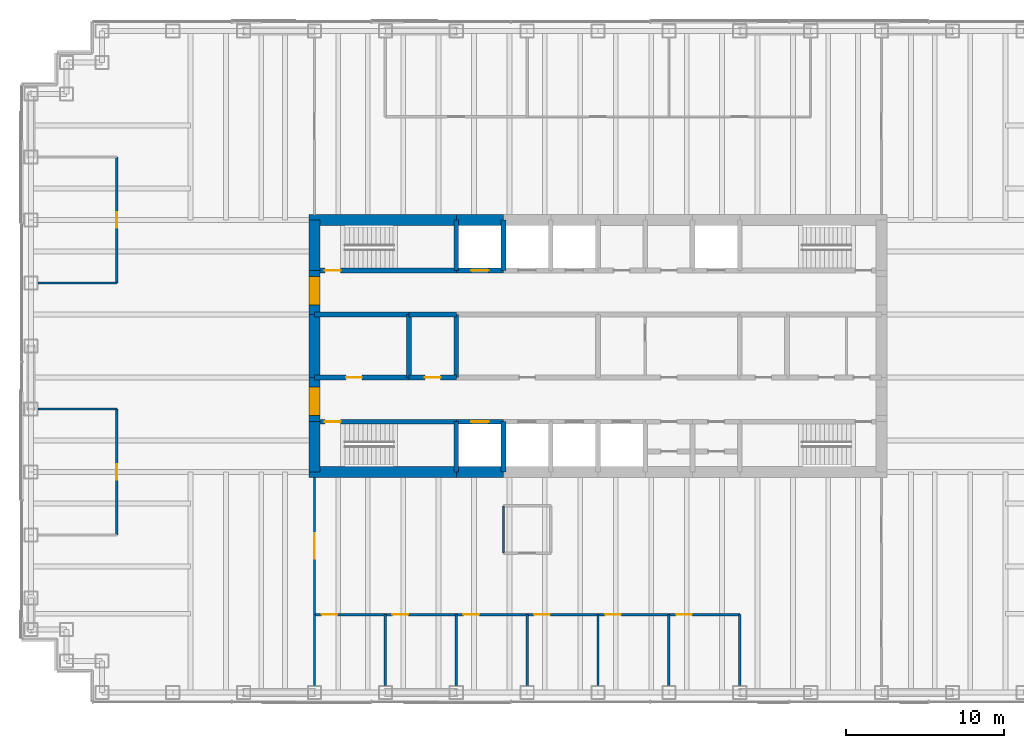
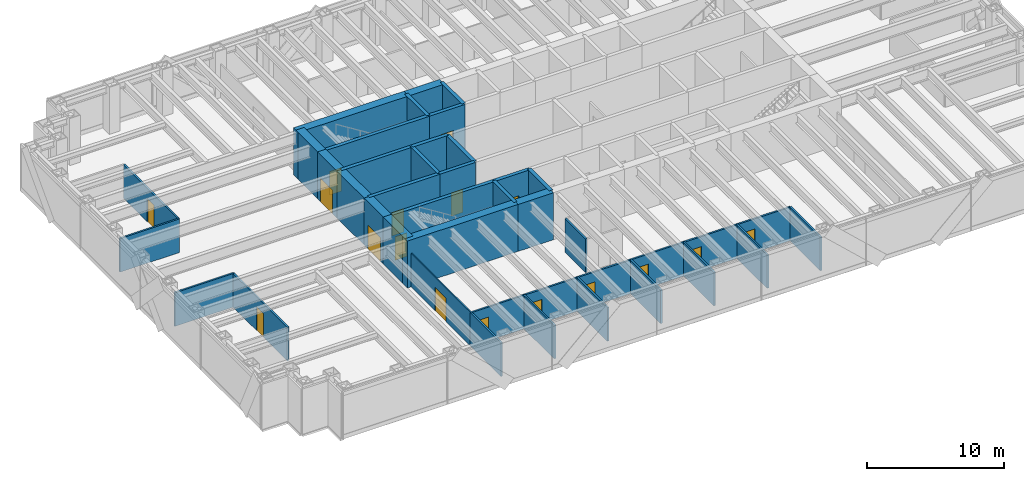
# One storey, part 11 of 15: 37 walls, 17 doors, 17 openings.
"""IFC4 building model written with IfcOpenShell, lengths in metres."""

from ifc_helpers import new_model, si_unit, direction, frame, frame_2d, origin, place, context, subcontext, project, spatial, rectangle, extrude, material, layer, layer_set, type_object, element, fill, save


model = new_model("IFC4")

# Units and contexts
model_context = context("Model", 3, precision=1e-05, world=origin(), true_north=direction((0.0, 1.0)))
body_context = subcontext(model_context, "Body", "Model", "MODEL_VIEW")
ifc_project = project(units=[si_unit("LENGTHUNIT", "METRE"), si_unit("AREAUNIT", "SQUARE_METRE"), si_unit("VOLUMEUNIT", "CUBIC_METRE"), si_unit("PLANEANGLEUNIT", "RADIAN"), si_unit("MASSUNIT", "GRAM", prefix="KILO")], contexts=[model_context])

# Site, building, storey
site_placement = place(None, origin())
site = spatial("IfcSite", under=ifc_project, at=site_placement, CompositionType="ELEMENT")
building_placement = place(site_placement, origin())
building = spatial("IfcBuilding", under=site, at=building_placement, Name="Rheinbord Bourse Tower", CompositionType="ELEMENT")
storey_placement = place(building_placement, frame((0.0, 0.0, 292.10009765625)))
storey = spatial("IfcBuildingStorey", under=building, at=storey_placement, Name="L66", CompositionType="ELEMENT", Elevation=292.10009765625)

# Wall, opening, door
ifc_material_1 = material(Name="Concrete C50/60", Category="concrete")
ifc_layer_1 = layer(ifc_material_1, 0.300048828125)
ifc_layer_set_1 = layer_set([ifc_layer_1], Name="CORE INNER WALL 300")
wall_type_1 = type_object("IfcWallType", Name="CORE INNER WALL 300", PredefinedType="SOLIDWALL", material=ifc_layer_set_1)
wall_1_placement = place(storey_placement, frame((18.0, 19.199951171875, 0.0), z_axis=(0.0, 0.0, 1.0), x_axis=(1.0, 0.0, 0.0)))
wall_1 = element("IfcWall", 1, at=wall_1_placement, inside=storey, type_object=wall_type_1, Name="Core wall A1 L66", PredefinedType="SOLIDWALL", context=body_context, shape_type="SweptSolid", body=[
    extrude(rectangle(XDim=9.0, YDim=0.300048828125, at=frame_2d((4.5, 0.0))), origin(), (0.0, 0.0, 1.0), 4.199951171875),
])
opening_1_placement = place(wall_1_placement, frame((0.64990234375, 0.0, 0.0)))
opening_1 = element("IfcOpeningElement", 2, at=opening_1_placement, cuts=wall_1, Name="Opening 6610", PredefinedType="OPENING", context=body_context, shape_type="SweptSolid", body=[
    extrude(rectangle(XDim=1.0, YDim=2.10009765625, at=frame_2d((0.5, 1.050048828125))), frame((0.0, 0.159912109375, 0.0), z_axis=(0.0, -1.0, 0.0), x_axis=(1.0, 0.0, 0.0)), (0.0, 0.0, 1.0), 0.320068359375),
])
ifc_material_2 = material(Name="Steel door", Category="steel")
door_type_1 = type_object("IfcDoorType", Name="DOOR 1000 EI30", OperationType="SINGLE_SWING_LEFT", PredefinedType="DOOR", material=ifc_material_2)
door_1_placement = place(opening_1_placement, origin())
door_1 = element("IfcDoor", 3, at=door_1_placement, inside=storey, type_object=door_type_1, Name="Stair door ST1 L66", OperationType="SINGLE_SWING_LEFT", OverallHeight=2.10009765625, OverallWidth=1.0, PredefinedType="DOOR", context=body_context, shape_type="SweptSolid", body=[
    extrude(rectangle(XDim=1.0, YDim=2.10009765625, at=frame_2d((0.5, 1.050048828125))), frame((0.0, 0.02490234375, 0.0), z_axis=(0.0, -1.0, 0.0), x_axis=(1.0, 0.0, 0.0)), (0.0, 0.0, 1.0), 0.050048828125),
])
fill(opening_1, door_1)

wall_2_placement = place(storey_placement, frame((27.0, 19.199951171875, 0.0), z_axis=(0.0, 0.0, 1.0), x_axis=(1.0, 0.0, 0.0)))
wall_2 = element("IfcWall", 4, at=wall_2_placement, inside=storey, type_object=wall_type_1, Name="Core wall A2 L66", PredefinedType="SOLIDWALL", context=body_context, shape_type="SweptSolid", body=[
    extrude(rectangle(XDim=3.0, YDim=0.300048828125, at=frame_2d((1.5, 0.0))), origin(), (0.0, 0.0, 1.0), 4.199951171875),
])
opening_2_placement = place(wall_2_placement, frame((0.949951171875, 0.0, 0.0)))
opening_2 = element("IfcOpeningElement", 5, at=opening_2_placement, cuts=wall_2, Name="Opening FL1", PredefinedType="OPENING", context=body_context, shape_type="SweptSolid", body=[
    extrude(rectangle(XDim=1.10009765625, YDim=2.199951171875, at=frame_2d((0.550048828125, 1.10009765625))), frame((0.0, 0.159912109375, 0.0), z_axis=(0.0, -1.0, 0.0), x_axis=(1.0, 0.0, 0.0)), (0.0, 0.0, 1.0), 0.320068359375),
])
ifc_material_3 = material(Name="Steel landing door", Category="steel")
door_type_2 = type_object("IfcDoorType", Name="LIFT LANDING DOOR 1100", OperationType="DOUBLE_DOOR_SLIDING", PredefinedType="USERDEFINED", material=ifc_material_3)
door_2_placement = place(opening_2_placement, origin())
door_2 = element("IfcDoor", 6, at=door_2_placement, inside=storey, type_object=door_type_2, Name="Lift landing door FL1 L66", ObjectType="LIFT LANDING DOOR", OperationType="DOUBLE_DOOR_SLIDING", OverallHeight=2.199951171875, OverallWidth=1.10009765625, PredefinedType="USERDEFINED", context=body_context, shape_type="SweptSolid", body=[
    extrude(rectangle(XDim=1.10009765625, YDim=2.199951171875, at=frame_2d((0.550048828125, 1.10009765625))), frame((0.0, 0.02490234375, 0.0), z_axis=(0.0, -1.0, 0.0), x_axis=(1.0, 0.0, 0.0)), (0.0, 0.0, 1.0), 0.050048828125),
])
fill(opening_2, door_2)

wall_3_placement = place(storey_placement, frame((18.0, 28.800048828125, 0.0), z_axis=(0.0, 0.0, 1.0), x_axis=(1.0, 0.0, 0.0)))
wall_3 = element("IfcWall", 7, at=wall_3_placement, inside=storey, type_object=wall_type_1, Name="Core wall B1 L66", PredefinedType="SOLIDWALL", context=body_context, shape_type="SweptSolid", body=[
    extrude(rectangle(XDim=9.0, YDim=0.300048828125, at=frame_2d((4.5, 0.0))), origin(), (0.0, 0.0, 1.0), 4.199951171875),
])
opening_3_placement = place(wall_3_placement, frame((0.64990234375, 0.0, 0.0)))
opening_3 = element("IfcOpeningElement", 8, at=opening_3_placement, cuts=wall_3, Name="Opening 6620", PredefinedType="OPENING", context=body_context, shape_type="SweptSolid", body=[
    extrude(rectangle(XDim=1.0, YDim=2.10009765625, at=frame_2d((0.5, 1.050048828125))), frame((0.0, 0.159912109375, 0.0), z_axis=(0.0, -1.0, 0.0), x_axis=(1.0, 0.0, 0.0)), (0.0, 0.0, 1.0), 0.320068359375),
])
door_3_placement = place(opening_3_placement, origin())
door_3 = element("IfcDoor", 9, at=door_3_placement, inside=storey, type_object=door_type_1, Name="Stair door ST2 L66", OperationType="SINGLE_SWING_LEFT", OverallHeight=2.10009765625, OverallWidth=1.0, PredefinedType="DOOR", context=body_context, shape_type="SweptSolid", body=[
    extrude(rectangle(XDim=1.0, YDim=2.10009765625, at=frame_2d((0.5, 1.050048828125))), frame((0.0, 0.02490234375, 0.0), z_axis=(0.0, -1.0, 0.0), x_axis=(1.0, 0.0, 0.0)), (0.0, 0.0, 1.0), 0.050048828125),
])
fill(opening_3, door_3)

wall_4_placement = place(storey_placement, frame((27.0, 28.800048828125, 0.0), z_axis=(0.0, 0.0, 1.0), x_axis=(1.0, 0.0, 0.0)))
wall_4 = element("IfcWall", 10, at=wall_4_placement, inside=storey, type_object=wall_type_1, Name="Core wall B2 L66", PredefinedType="SOLIDWALL", context=body_context, shape_type="SweptSolid", body=[
    extrude(rectangle(XDim=3.0, YDim=0.300048828125, at=frame_2d((1.5, 0.0))), origin(), (0.0, 0.0, 1.0), 4.199951171875),
])
opening_4_placement = place(wall_4_placement, frame((0.949951171875, 0.0, 0.0)))
opening_4 = element("IfcOpeningElement", 11, at=opening_4_placement, cuts=wall_4, Name="Opening GL1", PredefinedType="OPENING", context=body_context, shape_type="SweptSolid", body=[
    extrude(rectangle(XDim=1.10009765625, YDim=2.199951171875, at=frame_2d((0.550048828125, 1.10009765625))), frame((0.0, 0.159912109375, 0.0), z_axis=(0.0, -1.0, 0.0), x_axis=(1.0, 0.0, 0.0)), (0.0, 0.0, 1.0), 0.320068359375),
])
door_4_placement = place(opening_4_placement, origin())
door_4 = element("IfcDoor", 12, at=door_4_placement, inside=storey, type_object=door_type_2, Name="Lift landing door GL1 L66", ObjectType="LIFT LANDING DOOR", OperationType="DOUBLE_DOOR_SLIDING", OverallHeight=2.199951171875, OverallWidth=1.10009765625, PredefinedType="USERDEFINED", context=body_context, shape_type="SweptSolid", body=[
    extrude(rectangle(XDim=1.10009765625, YDim=2.199951171875, at=frame_2d((0.550048828125, 1.10009765625))), frame((0.0, 0.02490234375, 0.0), z_axis=(0.0, -1.0, 0.0), x_axis=(1.0, 0.0, 0.0)), (0.0, 0.0, 1.0), 0.050048828125),
])
fill(opening_4, door_4)

wall_5_placement = place(storey_placement, frame((18.0, 22.0, 0.0), z_axis=(0.0, 0.0, 1.0), x_axis=(1.0, 0.0, 0.0)))
wall_5 = element("IfcWall", 13, at=wall_5_placement, inside=storey, type_object=wall_type_1, Name="Core wall C1 L66", PredefinedType="SOLIDWALL", context=body_context, shape_type="SweptSolid", body=[
    extrude(rectangle(XDim=6.0, YDim=0.300048828125, at=frame_2d((3.0, 0.0))), origin(), (0.0, 0.0, 1.0), 4.199951171875),
])
opening_5_placement = place(wall_5_placement, frame((2.0, 0.0, 0.0)))
opening_5 = element("IfcOpeningElement", 14, at=opening_5_placement, cuts=wall_5, Name="Opening 66R1", PredefinedType="OPENING", context=body_context, shape_type="SweptSolid", body=[
    extrude(rectangle(XDim=1.0, YDim=2.10009765625, at=frame_2d((0.5, 1.050048828125))), frame((0.0, 0.159912109375, 0.0), z_axis=(0.0, -1.0, 0.0), x_axis=(1.0, 0.0, 0.0)), (0.0, 0.0, 1.0), 0.320068359375),
])
ifc_material_4 = material(Name="Timber door", Category="wood")
door_type_3 = type_object("IfcDoorType", Name="DOOR 1000 WC", OperationType="SINGLE_SWING_LEFT", PredefinedType="DOOR", material=ifc_material_4)
door_5_placement = place(opening_5_placement, origin())
door_5 = element("IfcDoor", 15, at=door_5_placement, inside=storey, type_object=door_type_3, Name="WC men door L66", OperationType="SINGLE_SWING_LEFT", OverallHeight=2.10009765625, OverallWidth=1.0, PredefinedType="DOOR", context=body_context, shape_type="SweptSolid", body=[
    extrude(rectangle(XDim=1.0, YDim=2.10009765625, at=frame_2d((0.5, 1.050048828125))), frame((0.0, 0.02490234375, 0.0), z_axis=(0.0, -1.0, 0.0), x_axis=(1.0, 0.0, 0.0)), (0.0, 0.0, 1.0), 0.050048828125),
])
fill(opening_5, door_5)

wall_6_placement = place(storey_placement, frame((24.0, 22.0, 0.0), z_axis=(0.0, 0.0, 1.0), x_axis=(1.0, 0.0, 0.0)))
wall_6 = element("IfcWall", 16, at=wall_6_placement, inside=storey, type_object=wall_type_1, Name="Core wall C2 L66", PredefinedType="SOLIDWALL", context=body_context, shape_type="SweptSolid", body=[
    extrude(rectangle(XDim=3.0, YDim=0.300048828125, at=frame_2d((1.5, 0.0))), origin(), (0.0, 0.0, 1.0), 4.199951171875),
])
opening_6_placement = place(wall_6_placement, frame((1.0, 0.0, 0.0)))
opening_6 = element("IfcOpeningElement", 17, at=opening_6_placement, cuts=wall_6, Name="Opening 66R2", PredefinedType="OPENING", context=body_context, shape_type="SweptSolid", body=[
    extrude(rectangle(XDim=1.0, YDim=2.10009765625, at=frame_2d((0.5, 1.050048828125))), frame((0.0, 0.159912109375, 0.0), z_axis=(0.0, -1.0, 0.0), x_axis=(1.0, 0.0, 0.0)), (0.0, 0.0, 1.0), 0.320068359375),
])
door_6_placement = place(opening_6_placement, origin())
door_6 = element("IfcDoor", 18, at=door_6_placement, inside=storey, type_object=door_type_3, Name="Accessible WC door L66", OperationType="SINGLE_SWING_LEFT", OverallHeight=2.10009765625, OverallWidth=1.0, PredefinedType="DOOR", context=body_context, shape_type="SweptSolid", body=[
    extrude(rectangle(XDim=1.0, YDim=2.10009765625, at=frame_2d((0.5, 1.050048828125))), frame((0.0, 0.02490234375, 0.0), z_axis=(0.0, -1.0, 0.0), x_axis=(1.0, 0.0, 0.0)), (0.0, 0.0, 1.0), 0.050048828125),
])
fill(opening_6, door_6)

# Walls
wall_7_placement = place(storey_placement, frame((18.0, 26.0, 0.0), z_axis=(0.0, 0.0, 1.0), x_axis=(1.0, 0.0, 0.0)))
element("IfcWall", 19, at=wall_7_placement, inside=storey, type_object=wall_type_1, Name="Core wall D1 L66", PredefinedType="SOLIDWALL", context=body_context, shape_type="SweptSolid", body=[
    extrude(rectangle(XDim=6.0, YDim=0.300048828125, at=frame_2d((3.0, 0.0))), origin(), (0.0, 0.0, 1.0), 4.199951171875),
])
wall_8_placement = place(storey_placement, frame((24.0, 26.0, 0.0), z_axis=(0.0, 0.0, 1.0), x_axis=(1.0, 0.0, 0.0)))
element("IfcWall", 20, at=wall_8_placement, inside=storey, type_object=wall_type_1, Name="Core wall D2 L66", PredefinedType="SOLIDWALL", context=body_context, shape_type="SweptSolid", body=[
    extrude(rectangle(XDim=3.0, YDim=0.300048828125, at=frame_2d((1.5, 0.0))), origin(), (0.0, 0.0, 1.0), 4.199951171875),
])
for number, where, z_axis, x_axis, name in (
    (21, (27.0, 16.0, 0.0), (0.0, 0.0, 1.0), (0.0, 1.0, 0.0), "Core wall SX27 L66"),
    (22, (27.0, 28.800048828125, 0.0), (0.0, 0.0, 1.0), (0.0, 1.0, 0.0), "Core wall NX27 L66"),
    (23, (30.0, 16.0, 0.0), (0.0, 0.0, 1.0), (0.0, 1.0, 0.0), "Core wall SX30 L66"),
    (24, (30.0, 28.800048828125, 0.0), (0.0, 0.0, 1.0), (0.0, 1.0, 0.0), "Core wall NX30 L66"),
):
    element("IfcWall", number, at=place(storey_placement, frame(where, z_axis=z_axis, x_axis=x_axis)), inside=storey, type_object=wall_type_1, Name=name, PredefinedType="SOLIDWALL", context=body_context, shape_type="SweptSolid", body=[
        extrude(rectangle(XDim=3.199951171875, YDim=0.300048828125, at=frame_2d((1.60009765625, 0.0))), origin(), (0.0, 0.0, 1.0), 4.199951171875),
    ])
for number, where, z_axis, x_axis, name in (
    (25, (24.0, 22.0, 0.0), (0.0, 0.0, 1.0), (0.0, 1.0, 0.0), "Core wall MX24 L66"),
    (26, (27.0, 22.0, 0.0), (0.0, 0.0, 1.0), (0.0, 1.0, 0.0), "Core wall MX27 L66"),
):
    element("IfcWall", number, at=place(storey_placement, frame(where, z_axis=z_axis, x_axis=x_axis)), inside=storey, type_object=wall_type_1, Name=name, PredefinedType="SOLIDWALL", context=body_context, shape_type="SweptSolid", body=[
        extrude(rectangle(XDim=4.0, YDim=0.300048828125, at=frame_2d((2.0, 0.0))), origin(), (0.0, 0.0, 1.0), 4.199951171875),
    ])
ifc_material_5 = material(Name="Concrete C50/60", Category="concrete")
ifc_layer_2 = layer(ifc_material_5, 0.699951171875)
ifc_layer_set_2 = layer_set([ifc_layer_2], Name="CORE WALL 700")
wall_type_2 = type_object("IfcWallType", Name="CORE WALL 700", PredefinedType="SHEAR", material=ifc_layer_set_2)
wall_9_placement = place(storey_placement, frame((17.64990234375, 16.0, 0.0), z_axis=(0.0, 0.0, 1.0), x_axis=(1.0, 0.0, 0.0)))
element("IfcWall", 27, at=wall_9_placement, inside=storey, type_object=wall_type_2, Name="Core wall S1 L66", PredefinedType="SHEAR", context=body_context, shape_type="SweptSolid", body=[
    extrude(rectangle(XDim=9.35009765625, YDim=0.699951171875, at=frame_2d((4.675048828125, 0.0))), origin(), (0.0, 0.0, 1.0), 4.199951171875),
])
for number, where, z_axis, x_axis, name in (
    (28, (27.0, 16.0, 0.0), (0.0, 0.0, 1.0), (1.0, 0.0, 0.0), "Core wall S2 L66"),
    (29, (30.0, 32.0, 0.0), (0.0, 0.0, 1.0), (-1.0, 0.0, 0.0), "Core wall N7 L66"),
):
    element("IfcWall", number, at=place(storey_placement, frame(where, z_axis=z_axis, x_axis=x_axis)), inside=storey, type_object=wall_type_2, Name=name, PredefinedType="SHEAR", context=body_context, shape_type="SweptSolid", body=[
        extrude(rectangle(XDim=3.0, YDim=0.699951171875, at=frame_2d((1.5, 0.0))), origin(), (0.0, 0.0, 1.0), 4.199951171875),
    ])
wall_10_placement = place(storey_placement, frame((27.0, 32.0, 0.0), z_axis=(0.0, 0.0, 1.0), x_axis=(-1.0, 0.0, 0.0)))
element("IfcWall", 30, at=wall_10_placement, inside=storey, type_object=wall_type_2, Name="Core wall N8 L66", PredefinedType="SHEAR", context=body_context, shape_type="SweptSolid", body=[
    extrude(rectangle(XDim=9.35009765625, YDim=0.699951171875, at=frame_2d((4.675048828125, 0.0))), origin(), (0.0, 0.0, 1.0), 4.199951171875),
])
wall_11_placement = place(storey_placement, frame((18.0, 32.0, 0.0), z_axis=(0.0, 0.0, 1.0), x_axis=(0.0, -1.0, 0.0)))
element("IfcWall", 31, at=wall_11_placement, inside=storey, type_object=wall_type_2, Name="Core wall W1 L66", PredefinedType="SHEAR", context=body_context, shape_type="SweptSolid", body=[
    extrude(rectangle(XDim=3.199951171875, YDim=0.699951171875, at=frame_2d((1.60009765625, 0.0))), origin(), (0.0, 0.0, 1.0), 4.199951171875),
])

# Wall, opening, door
wall_12_placement = place(storey_placement, frame((18.0, 28.800048828125, 0.0), z_axis=(0.0, 0.0, 1.0), x_axis=(0.0, -1.0, 0.0)))
wall_12 = element("IfcWall", 32, at=wall_12_placement, inside=storey, type_object=wall_type_2, Name="Core wall W2 L66", PredefinedType="SHEAR", context=body_context, shape_type="SweptSolid", body=[
    extrude(rectangle(XDim=2.800048828125, YDim=0.699951171875, at=frame_2d((1.39990234375, 0.0))), origin(), (0.0, 0.0, 1.0), 4.199951171875),
])
opening_7_placement = place(wall_12_placement, frame((0.39990234375, 0.0, 0.0)))
opening_7 = element("IfcOpeningElement", 33, at=opening_7_placement, cuts=wall_12, Name="Opening 66L2", PredefinedType="OPENING", context=body_context, shape_type="SweptSolid", body=[
    extrude(rectangle(XDim=1.800048828125, YDim=2.10009765625, at=frame_2d((0.89990234375, 1.050048828125))), frame((0.0, 0.35986328125, 0.0), z_axis=(0.0, -1.0, 0.0), x_axis=(1.0, 0.0, 0.0)), (0.0, 0.0, 1.0), 0.719970703125),
])
ifc_material_6 = material(Name="Steel door", Category="steel")
door_type_4 = type_object("IfcDoorType", Name="DOOR 1800 EI30 DOUBLE", OperationType="DOUBLE_DOOR_DOUBLE_SWING", PredefinedType="DOOR", material=ifc_material_6)
door_7_placement = place(opening_7_placement, origin())
door_7 = element("IfcDoor", 34, at=door_7_placement, inside=storey, type_object=door_type_4, Name="Lobby door 2 L66", OperationType="SINGLE_SWING_LEFT", OverallHeight=2.10009765625, OverallWidth=1.800048828125, PredefinedType="DOOR", context=body_context, shape_type="SweptSolid", body=[
    extrude(rectangle(XDim=1.800048828125, YDim=2.10009765625, at=frame_2d((0.89990234375, 1.050048828125))), frame((0.0, 0.349609375, 0.0), z_axis=(0.0, -1.0, 0.0), x_axis=(1.0, 0.0, 0.0)), (0.0, 0.0, 1.0), 0.699462890625),
])
fill(opening_7, door_7)

# Wall
wall_13_placement = place(storey_placement, frame((18.0, 26.0, 0.0), z_axis=(0.0, 0.0, 1.0), x_axis=(0.0, -1.0, 0.0)))
element("IfcWall", 35, at=wall_13_placement, inside=storey, type_object=wall_type_2, Name="Core wall W3 L66", PredefinedType="SHEAR", context=body_context, shape_type="SweptSolid", body=[
    extrude(rectangle(XDim=4.0, YDim=0.699951171875, at=frame_2d((2.0, 0.0))), origin(), (0.0, 0.0, 1.0), 4.199951171875),
])

# Wall, opening, door
wall_14_placement = place(storey_placement, frame((18.0, 22.0, 0.0), z_axis=(0.0, 0.0, 1.0), x_axis=(0.0, -1.0, 0.0)))
wall_14 = element("IfcWall", 36, at=wall_14_placement, inside=storey, type_object=wall_type_2, Name="Core wall W4 L66", PredefinedType="SHEAR", context=body_context, shape_type="SweptSolid", body=[
    extrude(rectangle(XDim=2.800048828125, YDim=0.699951171875, at=frame_2d((1.39990234375, 0.0))), origin(), (0.0, 0.0, 1.0), 4.199951171875),
])
opening_8_placement = place(wall_14_placement, frame((0.60009765625, 0.0, 0.0)))
opening_8 = element("IfcOpeningElement", 37, at=opening_8_placement, cuts=wall_14, Name="Opening 66L1", PredefinedType="OPENING", context=body_context, shape_type="SweptSolid", body=[
    extrude(rectangle(XDim=1.800048828125, YDim=2.10009765625, at=frame_2d((0.89990234375, 1.050048828125))), frame((0.0, 0.35986328125, 0.0), z_axis=(0.0, -1.0, 0.0), x_axis=(1.0, 0.0, 0.0)), (0.0, 0.0, 1.0), 0.719970703125),
])
door_8_placement = place(opening_8_placement, origin())
door_8 = element("IfcDoor", 38, at=door_8_placement, inside=storey, type_object=door_type_4, Name="Lobby door 1 L66", OperationType="SINGLE_SWING_LEFT", OverallHeight=2.10009765625, OverallWidth=1.800048828125, PredefinedType="DOOR", context=body_context, shape_type="SweptSolid", body=[
    extrude(rectangle(XDim=1.800048828125, YDim=2.10009765625, at=frame_2d((0.89990234375, 1.050048828125))), frame((0.0, 0.349609375, 0.0), z_axis=(0.0, -1.0, 0.0), x_axis=(1.0, 0.0, 0.0)), (0.0, 0.0, 1.0), 0.699462890625),
])
fill(opening_8, door_8)

# Walls
wall_15_placement = place(storey_placement, frame((18.0, 19.199951171875, 0.0), z_axis=(0.0, 0.0, 1.0), x_axis=(0.0, -1.0, 0.0)))
element("IfcWall", 39, at=wall_15_placement, inside=storey, type_object=wall_type_2, Name="Core wall W5 L66", PredefinedType="SHEAR", context=body_context, shape_type="SweptSolid", body=[
    extrude(rectangle(XDim=3.199951171875, YDim=0.699951171875, at=frame_2d((1.60009765625, 0.0))), origin(), (0.0, 0.0, 1.0), 4.199951171875),
])
ifc_material_7 = material(Name="Gypsum board fire partition", Category="gypsum board")
ifc_layer_3 = layer(ifc_material_7, 0.14990234375)
ifc_layer_set_3 = layer_set([ifc_layer_3], Name="FIRE PARTITION 150 EI60")
wall_type_3 = type_object("IfcWallType", Name="FIRE PARTITION 150 EI60", PredefinedType="PARTITIONING", material=ifc_layer_set_3)
for number, where, z_axis, x_axis, name in (
    (40, (0.449951171875, 20.0, 0.0), (0.0, 0.0, 1.0), (1.0, 0.0, 0.0), "Partition L66-06"),
    (41, (0.449951171875, 28.0, 0.0), (0.0, 0.0, 1.0), (1.0, 0.0, 0.0), "Partition L66-08"),
):
    element("IfcWall", number, at=place(storey_placement, frame(where, z_axis=z_axis, x_axis=x_axis)), inside=storey, type_object=wall_type_3, Name=name, PredefinedType="PARTITIONING", context=body_context, shape_type="SweptSolid", body=[
        extrude(rectangle(XDim=5.0, YDim=0.14990234375, at=frame_2d((2.5, 0.0))), origin(), (0.0, 0.0, 1.0), 3.0),
    ])

# Wall, opening, door
wall_16_placement = place(storey_placement, frame((5.449951171875, 12.0, 0.0), z_axis=(0.0, 0.0, 1.0), x_axis=(0.0, 1.0, 0.0)))
wall_16 = element("IfcWall", 42, at=wall_16_placement, inside=storey, type_object=wall_type_3, Name="Partition L66-15", PredefinedType="PARTITIONING", context=body_context, shape_type="SweptSolid", body=[
    extrude(rectangle(XDim=8.0, YDim=0.14990234375, at=frame_2d((4.0, 0.0))), origin(), (0.0, 0.0, 1.0), 3.0),
])
opening_9_placement = place(wall_16_placement, frame((3.5, 0.0, 0.0)))
opening_9 = element("IfcOpeningElement", 43, at=opening_9_placement, cuts=wall_16, Name="Opening 66D08", PredefinedType="OPENING", context=body_context, shape_type="SweptSolid", body=[
    extrude(rectangle(XDim=1.0, YDim=2.10009765625, at=frame_2d((0.5, 1.050048828125))), frame((0.0, 0.0849609375, 0.0), z_axis=(0.0, -1.0, 0.0), x_axis=(1.0, 0.0, 0.0)), (0.0, 0.0, 1.0), 0.169921875),
])
ifc_material_8 = material(Name="Timber fire door", Category="wood")
door_type_5 = type_object("IfcDoorType", Name="FIRE DOOR 1000 EI60", OperationType="SINGLE_SWING_LEFT", PredefinedType="DOOR", material=ifc_material_8)
door_9_placement = place(opening_9_placement, origin())
door_9 = element("IfcDoor", 44, at=door_9_placement, inside=storey, type_object=door_type_5, Name="Archive door L66", OperationType="SINGLE_SWING_LEFT", OverallHeight=2.10009765625, OverallWidth=1.0, PredefinedType="DOOR", context=body_context, shape_type="SweptSolid", body=[
    extrude(rectangle(XDim=1.0, YDim=2.10009765625, at=frame_2d((0.5, 1.050048828125))), frame((0.0, 0.02490234375, 0.0), z_axis=(0.0, -1.0, 0.0), x_axis=(1.0, 0.0, 0.0)), (0.0, 0.0, 1.0), 0.050048828125),
])
fill(opening_9, door_9)

wall_17_placement = place(storey_placement, frame((5.449951171875, 28.0, 0.0), z_axis=(0.0, 0.0, 1.0), x_axis=(0.0, 1.0, 0.0)))
wall_17 = element("IfcWall", 45, at=wall_17_placement, inside=storey, type_object=wall_type_3, Name="Partition L66-16", PredefinedType="PARTITIONING", context=body_context, shape_type="SweptSolid", body=[
    extrude(rectangle(XDim=8.0, YDim=0.14990234375, at=frame_2d((4.0, 0.0))), origin(), (0.0, 0.0, 1.0), 3.0),
])
opening_10_placement = place(wall_17_placement, frame((3.5, 0.0, 0.0)))
opening_10 = element("IfcOpeningElement", 46, at=opening_10_placement, cuts=wall_17, Name="Opening 66D11", PredefinedType="OPENING", context=body_context, shape_type="SweptSolid", body=[
    extrude(rectangle(XDim=1.0, YDim=2.10009765625, at=frame_2d((0.5, 1.050048828125))), frame((0.0, 0.0849609375, 0.0), z_axis=(0.0, -1.0, 0.0), x_axis=(1.0, 0.0, 0.0)), (0.0, 0.0, 1.0), 0.169921875),
])
door_10_placement = place(opening_10_placement, origin())
door_10 = element("IfcDoor", 47, at=door_10_placement, inside=storey, type_object=door_type_5, Name="Records room door L66", OperationType="SINGLE_SWING_LEFT", OverallHeight=2.10009765625, OverallWidth=1.0, PredefinedType="DOOR", context=body_context, shape_type="SweptSolid", body=[
    extrude(rectangle(XDim=1.0, YDim=2.10009765625, at=frame_2d((0.5, 1.050048828125))), frame((0.0, 0.02490234375, 0.0), z_axis=(0.0, -1.0, 0.0), x_axis=(1.0, 0.0, 0.0)), (0.0, 0.0, 1.0), 0.050048828125),
])
fill(opening_10, door_10)

ifc_material_9 = material(Name="Toughened laminated glass partition", Category="glass")
ifc_layer_4 = layer(ifc_material_9, 0.10009765625)
ifc_layer_set_4 = layer_set([ifc_layer_4], Name="GLAZED PARTITION 100")
wall_type_4 = type_object("IfcWallType", Name="GLAZED PARTITION 100", PredefinedType="PARTITIONING", material=ifc_layer_set_4)
wall_18_placement = place(storey_placement, frame((18.0, 6.949951171875, 0.0), z_axis=(0.0, 0.0, 1.0), x_axis=(0.0, 1.0, 0.0)))
wall_18 = element("IfcWall", 48, at=wall_18_placement, inside=storey, type_object=wall_type_4, Name="Partition L66-18", PredefinedType="PARTITIONING", context=body_context, shape_type="SweptSolid", body=[
    extrude(rectangle(XDim=8.699951171875, YDim=0.10009765625, at=frame_2d((4.35009765625, 0.0))), origin(), (0.0, 0.0, 1.0), 3.0),
])
opening_11_placement = place(wall_18_placement, frame((3.550048828125, 0.0, 0.0)))
opening_11 = element("IfcOpeningElement", 49, at=opening_11_placement, cuts=wall_18, Name="Opening 66D16", PredefinedType="OPENING", context=body_context, shape_type="SweptSolid", body=[
    extrude(rectangle(XDim=1.60009765625, YDim=2.10009765625, at=frame_2d((0.800048828125, 1.050048828125))), frame((0.0, 0.06005859375, 0.0), z_axis=(0.0, -1.0, 0.0), x_axis=(1.0, 0.0, 0.0)), (0.0, 0.0, 1.0), 0.1201171875),
])
ifc_material_10 = material(Name="Timber door", Category="wood")
door_type_6 = type_object("IfcDoorType", Name="DOUBLE ROOM DOOR 1600", OperationType="DOUBLE_DOOR_DOUBLE_SWING", PredefinedType="DOOR", material=ifc_material_10)
door_11_placement = place(opening_11_placement, origin())
door_11 = element("IfcDoor", 50, at=door_11_placement, inside=storey, type_object=door_type_6, Name="Open area door L66", OperationType="SINGLE_SWING_LEFT", OverallHeight=2.10009765625, OverallWidth=1.60009765625, PredefinedType="DOOR", context=body_context, shape_type="SweptSolid", body=[
    extrude(rectangle(XDim=1.60009765625, YDim=2.10009765625, at=frame_2d((0.800048828125, 1.050048828125))), frame((0.0, 0.02490234375, 0.0), z_axis=(0.0, -1.0, 0.0), x_axis=(1.0, 0.0, 0.0)), (0.0, 0.0, 1.0), 0.050048828125),
])
fill(opening_11, door_11)

# Wall, openings, doors
ifc_material_11 = material(Name="Gypsum board partition", Category="gypsum board")
ifc_layer_5 = layer(ifc_material_11, 0.14990234375)
ifc_layer_set_5 = layer_set([ifc_layer_5], Name="PARTITION 150")
wall_type_5 = type_object("IfcWallType", Name="PARTITION 150", PredefinedType="PARTITIONING", material=ifc_layer_set_5)
wall_19_placement = place(storey_placement, frame((18.0, 6.949951171875, 0.0), z_axis=(0.0, 0.0, 1.0), x_axis=(1.0, 0.0, 0.0)))
wall_19 = element("IfcWall", 51, at=wall_19_placement, inside=storey, type_object=wall_type_5, Name="Partition L66-01", PredefinedType="PARTITIONING", context=body_context, shape_type="SweptSolid", body=[
    extrude(rectangle(XDim=27.0, YDim=0.14990234375, at=frame_2d((13.5, 0.0))), origin(), (0.0, 0.0, 1.0), 3.0),
])
opening_12_placement = place(wall_19_placement, frame((0.449951171875, 0.0, 0.0)))
opening_12 = element("IfcOpeningElement", 52, at=opening_12_placement, cuts=wall_19, Name="Opening 66D01", PredefinedType="OPENING", context=body_context, shape_type="SweptSolid", body=[
    extrude(rectangle(XDim=1.0, YDim=2.10009765625, at=frame_2d((0.5, 1.050048828125))), frame((0.0, 0.0849609375, 0.0), z_axis=(0.0, -1.0, 0.0), x_axis=(1.0, 0.0, 0.0)), (0.0, 0.0, 1.0), 0.169921875),
])
opening_13_placement = place(wall_19_placement, frame((4.949951171875, 0.0, 0.0)))
opening_13 = element("IfcOpeningElement", 53, at=opening_13_placement, cuts=wall_19, Name="Opening 66D02", PredefinedType="OPENING", context=body_context, shape_type="SweptSolid", body=[
    extrude(rectangle(XDim=1.0, YDim=2.10009765625, at=frame_2d((0.5, 1.050048828125))), frame((0.0, 0.0849609375, 0.0), z_axis=(0.0, -1.0, 0.0), x_axis=(1.0, 0.0, 0.0)), (0.0, 0.0, 1.0), 0.169921875),
])
opening_14_placement = place(wall_19_placement, frame((9.449951171875, 0.0, 0.0)))
opening_14 = element("IfcOpeningElement", 54, at=opening_14_placement, cuts=wall_19, Name="Opening 66D03", PredefinedType="OPENING", context=body_context, shape_type="SweptSolid", body=[
    extrude(rectangle(XDim=1.0, YDim=2.10009765625, at=frame_2d((0.5, 1.050048828125))), frame((0.0, 0.0849609375, 0.0), z_axis=(0.0, -1.0, 0.0), x_axis=(1.0, 0.0, 0.0)), (0.0, 0.0, 1.0), 0.169921875),
])
opening_15_placement = place(wall_19_placement, frame((13.949951171875, 0.0, 0.0)))
opening_15 = element("IfcOpeningElement", 55, at=opening_15_placement, cuts=wall_19, Name="Opening 66D04", PredefinedType="OPENING", context=body_context, shape_type="SweptSolid", body=[
    extrude(rectangle(XDim=1.0, YDim=2.10009765625, at=frame_2d((0.5, 1.050048828125))), frame((0.0, 0.0849609375, 0.0), z_axis=(0.0, -1.0, 0.0), x_axis=(1.0, 0.0, 0.0)), (0.0, 0.0, 1.0), 0.169921875),
])
opening_16_placement = place(wall_19_placement, frame((18.449951171875, 0.0, 0.0)))
opening_16 = element("IfcOpeningElement", 56, at=opening_16_placement, cuts=wall_19, Name="Opening 66D05", PredefinedType="OPENING", context=body_context, shape_type="SweptSolid", body=[
    extrude(rectangle(XDim=1.0, YDim=2.10009765625, at=frame_2d((0.5, 1.050048828125))), frame((0.0, 0.0849609375, 0.0), z_axis=(0.0, -1.0, 0.0), x_axis=(1.0, 0.0, 0.0)), (0.0, 0.0, 1.0), 0.169921875),
])
opening_17_placement = place(wall_19_placement, frame((22.949951171875, 0.0, 0.0)))
opening_17 = element("IfcOpeningElement", 57, at=opening_17_placement, cuts=wall_19, Name="Opening 66D06", PredefinedType="OPENING", context=body_context, shape_type="SweptSolid", body=[
    extrude(rectangle(XDim=1.0, YDim=2.10009765625, at=frame_2d((0.5, 1.050048828125))), frame((0.0, 0.0849609375, 0.0), z_axis=(0.0, -1.0, 0.0), x_axis=(1.0, 0.0, 0.0)), (0.0, 0.0, 1.0), 0.169921875),
])
ifc_material_12 = material(Name="Timber door", Category="wood")
door_type_7 = type_object("IfcDoorType", Name="ROOM DOOR 1000", OperationType="SINGLE_SWING_LEFT", PredefinedType="DOOR", material=ifc_material_12)
door_12_placement = place(opening_12_placement, origin())
door_12 = element("IfcDoor", 58, at=door_12_placement, inside=storey, type_object=door_type_7, Name="Office door L66", OperationType="SINGLE_SWING_LEFT", OverallHeight=2.10009765625, OverallWidth=1.0, PredefinedType="DOOR", context=body_context, shape_type="SweptSolid", body=[
    extrude(rectangle(XDim=1.0, YDim=2.10009765625, at=frame_2d((0.5, 1.050048828125))), frame((0.0, 0.02490234375, 0.0), z_axis=(0.0, -1.0, 0.0), x_axis=(1.0, 0.0, 0.0)), (0.0, 0.0, 1.0), 0.050048828125),
])
fill(opening_12, door_12)
door_13_placement = place(opening_13_placement, origin())
door_13 = element("IfcDoor", 59, at=door_13_placement, inside=storey, type_object=door_type_7, Name="Office door L66", OperationType="SINGLE_SWING_LEFT", OverallHeight=2.10009765625, OverallWidth=1.0, PredefinedType="DOOR", context=body_context, shape_type="SweptSolid", body=[
    extrude(rectangle(XDim=1.0, YDim=2.10009765625, at=frame_2d((0.5, 1.050048828125))), frame((0.0, 0.02490234375, 0.0), z_axis=(0.0, -1.0, 0.0), x_axis=(1.0, 0.0, 0.0)), (0.0, 0.0, 1.0), 0.050048828125),
])
fill(opening_13, door_13)
door_14_placement = place(opening_14_placement, origin())
door_14 = element("IfcDoor", 60, at=door_14_placement, inside=storey, type_object=door_type_7, Name="Office door L66", OperationType="SINGLE_SWING_LEFT", OverallHeight=2.10009765625, OverallWidth=1.0, PredefinedType="DOOR", context=body_context, shape_type="SweptSolid", body=[
    extrude(rectangle(XDim=1.0, YDim=2.10009765625, at=frame_2d((0.5, 1.050048828125))), frame((0.0, 0.02490234375, 0.0), z_axis=(0.0, -1.0, 0.0), x_axis=(1.0, 0.0, 0.0)), (0.0, 0.0, 1.0), 0.050048828125),
])
fill(opening_14, door_14)
door_15_placement = place(opening_15_placement, origin())
door_15 = element("IfcDoor", 61, at=door_15_placement, inside=storey, type_object=door_type_7, Name="Office door L66", OperationType="SINGLE_SWING_RIGHT", OverallHeight=2.10009765625, OverallWidth=1.0, PredefinedType="DOOR", context=body_context, shape_type="SweptSolid", body=[
    extrude(rectangle(XDim=1.0, YDim=2.10009765625, at=frame_2d((0.5, 1.050048828125))), frame((0.0, 0.02490234375, 0.0), z_axis=(0.0, -1.0, 0.0), x_axis=(1.0, 0.0, 0.0)), (0.0, 0.0, 1.0), 0.050048828125),
])
fill(opening_15, door_15)
door_16_placement = place(opening_16_placement, origin())
door_16 = element("IfcDoor", 62, at=door_16_placement, inside=storey, type_object=door_type_7, Name="Office door L66", OperationType="SINGLE_SWING_RIGHT", OverallHeight=2.10009765625, OverallWidth=1.0, PredefinedType="DOOR", context=body_context, shape_type="SweptSolid", body=[
    extrude(rectangle(XDim=1.0, YDim=2.10009765625, at=frame_2d((0.5, 1.050048828125))), frame((0.0, 0.02490234375, 0.0), z_axis=(0.0, -1.0, 0.0), x_axis=(1.0, 0.0, 0.0)), (0.0, 0.0, 1.0), 0.050048828125),
])
fill(opening_16, door_16)
door_17_placement = place(opening_17_placement, origin())
door_17 = element("IfcDoor", 63, at=door_17_placement, inside=storey, type_object=door_type_7, Name="Office door L66", OperationType="SINGLE_SWING_RIGHT", OverallHeight=2.10009765625, OverallWidth=1.0, PredefinedType="DOOR", context=body_context, shape_type="SweptSolid", body=[
    extrude(rectangle(XDim=1.0, YDim=2.10009765625, at=frame_2d((0.5, 1.050048828125))), frame((0.0, 0.02490234375, 0.0), z_axis=(0.0, -1.0, 0.0), x_axis=(1.0, 0.0, 0.0)), (0.0, 0.0, 1.0), 0.050048828125),
])
fill(opening_17, door_17)

# Walls
for number, where, z_axis, x_axis, name in (
    (64, (18.0, 2.449951171875, 0.0), (0.0, 0.0, 1.0), (0.0, 1.0, 0.0), "Partition L66-17"),
    (65, (22.5, 2.449951171875, 0.0), (0.0, 0.0, 1.0), (0.0, 1.0, 0.0), "Partition L66-20"),
    (66, (27.0, 2.449951171875, 0.0), (0.0, 0.0, 1.0), (0.0, 1.0, 0.0), "Partition L66-22"),
):
    element("IfcWall", number, at=place(storey_placement, frame(where, z_axis=z_axis, x_axis=x_axis)), inside=storey, type_object=wall_type_5, Name=name, PredefinedType="PARTITIONING", context=body_context, shape_type="SweptSolid", body=[
        extrude(rectangle(XDim=4.5, YDim=0.14990234375, at=frame_2d((2.25, 0.0))), origin(), (0.0, 0.0, 1.0), 3.0),
    ])
wall_20_placement = place(storey_placement, frame((30.0, 10.85009765625, 0.0), z_axis=(0.0, 0.0, 1.0), x_axis=(0.0, 1.0, 0.0)))
element("IfcWall", 67, at=wall_20_placement, inside=storey, type_object=wall_type_5, Name="Partition L66-23", PredefinedType="PARTITIONING", context=body_context, shape_type="SweptSolid", body=[
    extrude(rectangle(XDim=3.0, YDim=0.14990234375, at=frame_2d((1.5, 0.0))), origin(), (0.0, 0.0, 1.0), 3.0),
])
for number, where, z_axis, x_axis, name in (
    (68, (31.5, 2.449951171875, 0.0), (0.0, 0.0, 1.0), (0.0, 1.0, 0.0), "Partition L66-24"),
    (69, (36.0, 2.449951171875, 0.0), (0.0, 0.0, 1.0), (0.0, 1.0, 0.0), "Partition L66-27"),
    (70, (40.5, 2.449951171875, 0.0), (0.0, 0.0, 1.0), (0.0, 1.0, 0.0), "Partition L66-28"),
    (71, (45.0, 2.449951171875, 0.0), (0.0, 0.0, 1.0), (0.0, 1.0, 0.0), "Partition L66-30"),
):
    element("IfcWall", number, at=place(storey_placement, frame(where, z_axis=z_axis, x_axis=x_axis)), inside=storey, type_object=wall_type_5, Name=name, PredefinedType="PARTITIONING", context=body_context, shape_type="SweptSolid", body=[
        extrude(rectangle(XDim=4.5, YDim=0.14990234375, at=frame_2d((2.25, 0.0))), origin(), (0.0, 0.0, 1.0), 3.0),
    ])

save(model, "model.ifc")
